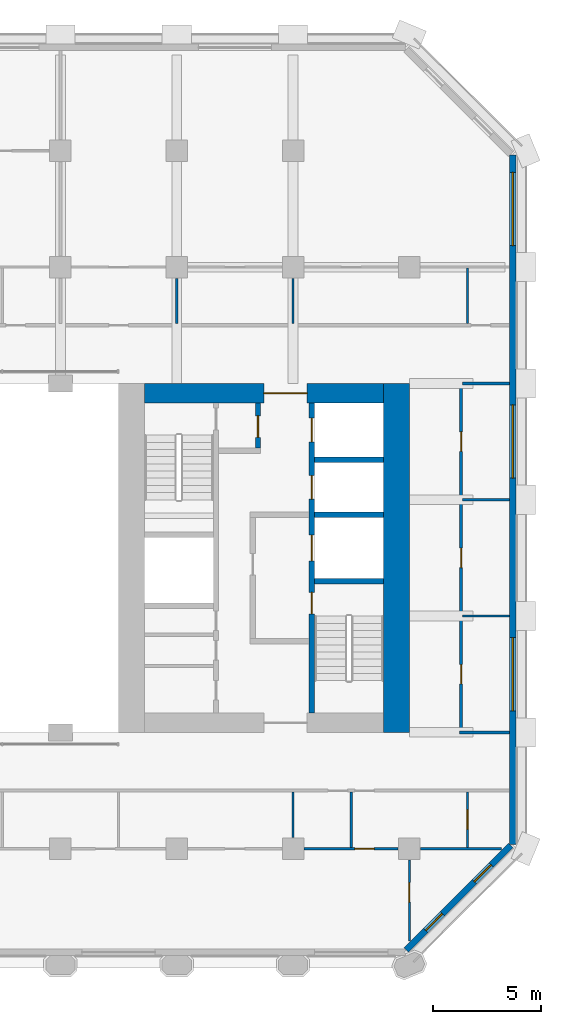
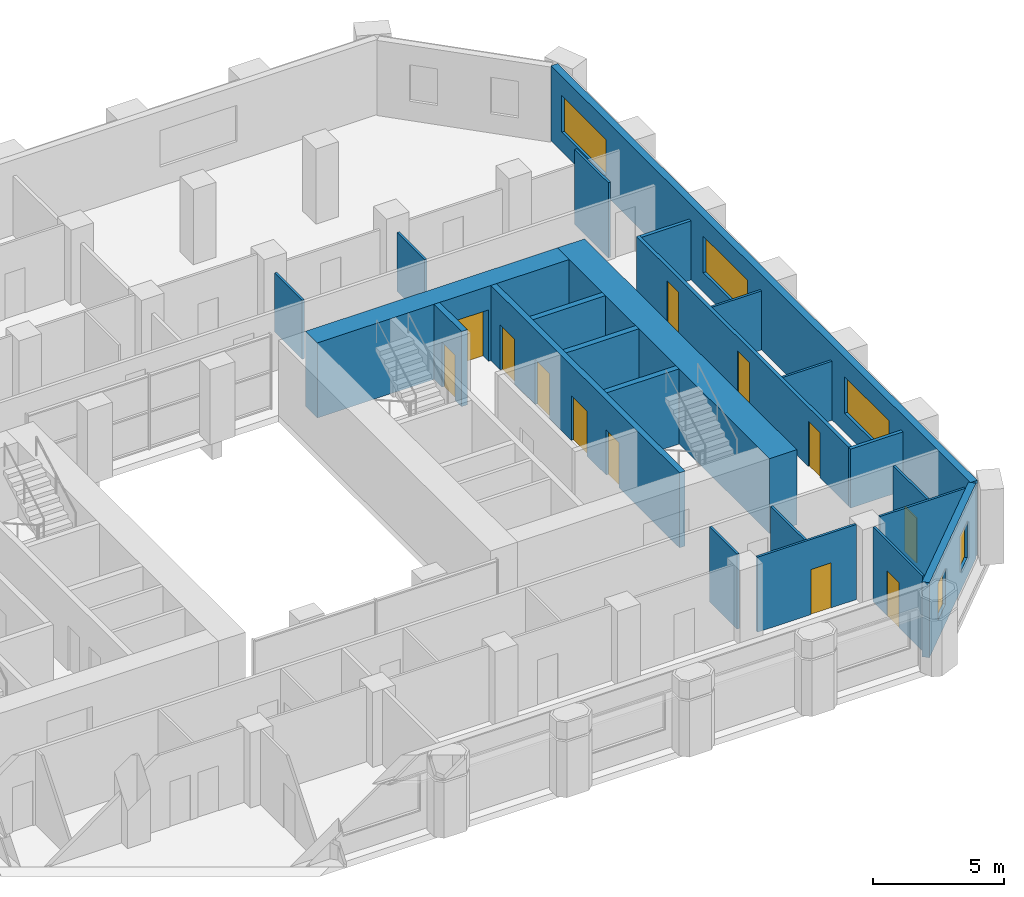
# One storey, part 6 of 11: 23 walls, 12 doors, 5 windows, 17 openings.
"""IFC4 building model written with IfcOpenShell, lengths in metres."""

from ifc_helpers import new_model, si_unit, direction, frame, frame_2d, origin, place, context, subcontext, project, spatial, rectangle, extrude, material, layer, layer_set, type_object, element, fill, save


model = new_model("IFC4")

# Units and contexts
model_context = context("Model", 3, precision=1e-05, world=origin(), true_north=direction((0.0, 1.0)))
body_context = subcontext(model_context, "Body", "Model", "MODEL_VIEW")
ifc_project = project(units=[si_unit("LENGTHUNIT", "METRE"), si_unit("AREAUNIT", "SQUARE_METRE"), si_unit("VOLUMEUNIT", "CUBIC_METRE"), si_unit("PLANEANGLEUNIT", "RADIAN"), si_unit("MASSUNIT", "GRAM", prefix="KILO")], contexts=[model_context])

# Site, building, storey
site_placement = place(None, origin())
site = spatial("IfcSite", under=ifc_project, at=site_placement, CompositionType="ELEMENT")
building_placement = place(site_placement, origin())
building = spatial("IfcBuilding", under=site, at=building_placement, Name="Tabaq Tower and Sports Hall", CompositionType="ELEMENT")
storey_placement = place(building_placement, frame((0.0, 0.0, 91.60009765625)))
storey = spatial("IfcBuildingStorey", under=building, at=storey_placement, Name="L21", CompositionType="ELEMENT", Elevation=91.60009765625)

# Wall
ifc_material_1 = material(Name="Concrete C60/75", Category="concrete")
ifc_layer_1 = layer(ifc_material_1, 1.199951171875)
ifc_layer_set_1 = layer_set([ifc_layer_1], Name="Core wall 1200 Concrete C60/75")
wall_type_1 = type_object("IfcWallType", Name="Core wall 1200 Concrete C60/75", PredefinedType="SOLIDWALL", material=ifc_layer_set_1)
wall_1_placement = place(storey_placement, frame((42.60009765625, 32.39990234375, 0.0), z_axis=(0.0, 0.0, 1.0), x_axis=(0.0, -1.0, 0.0)))
element("IfcWall", 1, at=wall_1_placement, inside=storey, type_object=wall_type_1, Name="Core wall E L21", PredefinedType="SOLIDWALL", context=body_context, shape_type="SweptSolid", body=[
    extrude(rectangle(XDim=16.199951171875, YDim=1.199951171875, at=frame_2d((8.10009765625, 0.0))), origin(), (0.0, 0.0, 1.0), 3.5),
])

# Wall, opening, door
ifc_material_2 = material(Name="Concrete C60/75", Category="concrete")
ifc_layer_2 = layer(ifc_material_2, 0.89990234375)
ifc_layer_set_2 = layer_set([ifc_layer_2], Name="Core wall 900 Concrete C60/75")
wall_type_2 = type_object("IfcWallType", Name="Core wall 900 Concrete C60/75", PredefinedType="SOLIDWALL", material=ifc_layer_set_2)
wall_2_placement = place(storey_placement, frame((30.89990234375, 31.949951171875, 0.0), z_axis=(0.0, 0.0, 1.0), x_axis=(1.0, 0.0, 0.0)))
wall_2 = element("IfcWall", 2, at=wall_2_placement, inside=storey, type_object=wall_type_2, Name="Core wall E L21", PredefinedType="SOLIDWALL", context=body_context, shape_type="SweptSolid", body=[
    extrude(rectangle(XDim=11.10009765625, YDim=0.89990234375, at=frame_2d((5.550048828125, 0.0))), origin(), (0.0, 0.0, 1.0), 3.5),
])
opening_1_placement = place(wall_2_placement, frame((5.550048828125, 0.0, 0.0)))
opening_1 = element("IfcOpeningElement", 3, at=opening_1_placement, cuts=wall_2, Name="Opening PD-EL21-02", PredefinedType="OPENING", context=body_context, shape_type="SweptSolid", body=[
    extrude(rectangle(XDim=2.0, YDim=2.39990234375, at=frame_2d((1.0, 1.199951171875))), frame((0.0, 0.449951171875, 0.0), z_axis=(0.0, -1.0, 0.0), x_axis=(1.0, 0.0, 0.0)), (0.0, 0.0, 1.0), 0.89990234375),
])
ifc_material_3 = material(Name="Steel fire door", Category="steel")
door_type_1 = type_object("IfcDoorType", Name="Core entrance door 2000", OperationType="DOUBLE_DOOR_SINGLE_SWING", PredefinedType="DOOR", material=ifc_material_3)
door_1_placement = place(opening_1_placement, origin())
door_1 = element("IfcDoor", 4, at=door_1_placement, inside=storey, type_object=door_type_1, Name="Core entrance north E L21", OperationType="DOUBLE_DOOR_SINGLE_SWING", OverallHeight=2.39990234375, OverallWidth=2.0, PredefinedType="DOOR", context=body_context, shape_type="SweptSolid", body=[
    extrude(rectangle(XDim=2.0, YDim=2.39990234375, at=frame_2d((1.0, 1.199951171875))), frame((0.0, 0.02490234375, 0.0), z_axis=(0.0, -1.0, 0.0), x_axis=(1.0, 0.0, 0.0)), (0.0, 0.0, 1.0), 0.050048828125),
])
fill(opening_1, door_1)

# Walls
ifc_material_4 = material(Name="Gypsum board on steel studs", Category="steel")
ifc_layer_3 = layer(ifc_material_4, 0.10009765625)
ifc_layer_set_3 = layer_set([ifc_layer_3], Name="Partition 100 Gypsum board")
wall_type_3 = type_object("IfcWallType", Name="Partition 100 Gypsum board", PredefinedType="PARTITIONING", material=ifc_layer_set_3)
for number, where, z_axis, x_axis, name in (
    (5, (32.39990234375, 35.175048828125, 0.0), (0.0, 0.0, 1.0), (0.0, 1.0, 0.0), "Partition wall L21"),
    (6, (37.800048828125, 35.175048828125, 0.0), (0.0, 0.0, 1.0), (0.0, 1.0, 0.0), "Partition wall L21"),
):
    element("IfcWall", number, at=place(storey_placement, frame(where, z_axis=z_axis, x_axis=x_axis)), inside=storey, type_object=wall_type_3, Name=name, PredefinedType="PARTITIONING", context=body_context, shape_type="SweptSolid", body=[
        extrude(rectangle(XDim=2.10498046875, YDim=0.10009765625, at=frame_2d((1.052490234375, 0.0))), origin(), (0.0, 0.0, 1.0), 2.75),
    ])
wall_3_placement = place(storey_placement, frame((45.89990234375, 35.175048828125, 0.0), z_axis=(0.0, 0.0, 1.0), x_axis=(0.0, 1.0, 0.0)))
element("IfcWall", 7, at=wall_3_placement, inside=storey, type_object=wall_type_3, Name="Partition wall L21", PredefinedType="PARTITIONING", context=body_context, shape_type="SweptSolid", body=[
    extrude(rectangle(XDim=2.574951171875, YDim=0.10009765625, at=frame_2d((1.28759765625, 0.0))), origin(), (0.0, 0.0, 1.0), 3.5),
])
wall_4_placement = place(storey_placement, frame((37.800048828125, 11.320068359375, 0.0), z_axis=(0.0, 0.0, 1.0), x_axis=(0.0, 1.0, 0.0)))
element("IfcWall", 8, at=wall_4_placement, inside=storey, type_object=wall_type_3, Name="Partition wall L21", PredefinedType="PARTITIONING", context=body_context, shape_type="SweptSolid", body=[
    extrude(rectangle(XDim=2.10498046875, YDim=0.10009765625, at=frame_2d((1.052490234375, 0.0))), origin(), (0.0, 0.0, 1.0), 3.5),
])
wall_5_placement = place(storey_placement, frame((40.5, 10.85009765625, 0.0), z_axis=(0.0, 0.0, 1.0), x_axis=(0.0, 1.0, 0.0)))
element("IfcWall", 9, at=wall_5_placement, inside=storey, type_object=wall_type_3, Name="Partition wall L21", PredefinedType="PARTITIONING", context=body_context, shape_type="SweptSolid", body=[
    extrude(rectangle(XDim=2.574951171875, YDim=0.10009765625, at=frame_2d((1.28759765625, 0.0))), origin(), (0.0, 0.0, 1.0), 3.5),
])

# Wall, opening, door
wall_6_placement = place(storey_placement, frame((38.320068359375, 10.800048828125, 0.0), z_axis=(0.0, 0.0, 1.0), x_axis=(1.0, 0.0, 0.0)))
wall_6 = element("IfcWall", 10, at=wall_6_placement, inside=storey, type_object=wall_type_3, Name="Partition wall L21", PredefinedType="PARTITIONING", context=body_context, shape_type="SweptSolid", body=[
    extrude(rectangle(XDim=4.35986328125, YDim=0.10009765625, at=frame_2d((2.179931640625, 0.0))), origin(), (0.0, 0.0, 1.0), 3.5),
])
opening_2_placement = place(wall_6_placement, frame((2.35009765625, 0.0, 0.0)))
opening_2 = element("IfcOpeningElement", 11, at=opening_2_placement, cuts=wall_6, Name="Opening L21-031", PredefinedType="OPENING", context=body_context, shape_type="SweptSolid", body=[
    extrude(rectangle(XDim=0.89990234375, YDim=2.10009765625, at=frame_2d((0.449951171875, 1.050048828125))), frame((0.0, 0.050048828125, 0.0), z_axis=(0.0, -1.0, 0.0), x_axis=(1.0, 0.0, 0.0)), (0.0, 0.0, 1.0), 0.10009765625),
])
ifc_material_5 = material(Name="Timber leaf in steel frame", Category="steel")
door_type_2 = type_object("IfcDoorType", Name="Internal door 900 left hand", OperationType="SINGLE_SWING_LEFT", PredefinedType="DOOR", material=ifc_material_5)
door_2_placement = place(opening_2_placement, origin())
door_2 = element("IfcDoor", 12, at=door_2_placement, inside=storey, type_object=door_type_2, Name="Internal door L21-031", OperationType="SINGLE_SWING_LEFT", OverallHeight=2.10009765625, OverallWidth=0.89990234375, PredefinedType="DOOR", context=body_context, shape_type="SweptSolid", body=[
    extrude(rectangle(XDim=0.89990234375, YDim=2.10009765625, at=frame_2d((0.449951171875, 1.050048828125))), frame((0.0, 0.02490234375, 0.0), z_axis=(0.0, -1.0, 0.0), x_axis=(1.0, 0.0, 0.0)), (0.0, 0.0, 1.0), 0.050048828125),
])
fill(opening_2, door_2)

wall_7_placement = place(storey_placement, frame((45.89990234375, 10.85009765625, 0.0), z_axis=(0.0, 0.0, 1.0), x_axis=(0.0, 1.0, 0.0)))
wall_7 = element("IfcWall", 13, at=wall_7_placement, inside=storey, type_object=wall_type_3, Name="Partition wall L21", PredefinedType="PARTITIONING", context=body_context, shape_type="SweptSolid", body=[
    extrude(rectangle(XDim=2.574951171875, YDim=0.10009765625, at=frame_2d((1.28759765625, 0.0))), origin(), (0.0, 0.0, 1.0), 3.5),
])
opening_3_placement = place(wall_7_placement, frame((0.85009765625, 0.0, 0.0)))
opening_3 = element("IfcOpeningElement", 14, at=opening_3_placement, cuts=wall_7, Name="Opening L21-022", PredefinedType="OPENING", context=body_context, shape_type="SweptSolid", body=[
    extrude(rectangle(XDim=0.89990234375, YDim=2.10009765625, at=frame_2d((0.449951171875, 1.050048828125))), frame((0.0, 0.050048828125, 0.0), z_axis=(0.0, -1.0, 0.0), x_axis=(1.0, 0.0, 0.0)), (0.0, 0.0, 1.0), 0.10009765625),
])
door_3_placement = place(opening_3_placement, origin())
door_3 = element("IfcDoor", 15, at=door_3_placement, inside=storey, type_object=door_type_2, Name="Internal door L21-022", OperationType="SINGLE_SWING_LEFT", OverallHeight=2.10009765625, OverallWidth=0.89990234375, PredefinedType="DOOR", context=body_context, shape_type="SweptSolid", body=[
    extrude(rectangle(XDim=0.89990234375, YDim=2.10009765625, at=frame_2d((0.449951171875, 1.050048828125))), frame((0.0, 0.02490234375, 0.0), z_axis=(0.0, -1.0, 0.0), x_axis=(1.0, 0.0, 0.0)), (0.0, 0.0, 1.0), 0.050048828125),
])
fill(opening_3, door_3)

# Wall
wall_8_placement = place(storey_placement, frame((43.719970703125, 10.800048828125, 0.0), z_axis=(0.0, 0.0, 1.0), x_axis=(1.0, 0.0, 0.0)))
element("IfcWall", 16, at=wall_8_placement, inside=storey, type_object=wall_type_3, Name="Partition wall L21", PredefinedType="PARTITIONING", context=body_context, shape_type="SweptSolid", body=[
    extrude(rectangle(XDim=3.767822265625, YDim=0.10009765625, at=frame_2d((1.8837890625, 0.0))), origin(), (0.0, 0.0, 1.0), 3.5),
])

# Wall, opening, door
wall_9_placement = place(storey_placement, frame((43.199951171875, 6.51220703125, 0.0), z_axis=(0.0, 0.0, 1.0), x_axis=(0.0, 1.0, 0.0)))
wall_9 = element("IfcWall", 17, at=wall_9_placement, inside=storey, type_object=wall_type_3, Name="Partition wall L21", PredefinedType="PARTITIONING", context=body_context, shape_type="SweptSolid", body=[
    extrude(rectangle(XDim=3.767822265625, YDim=0.10009765625, at=frame_2d((1.8837890625, 0.0))), origin(), (0.0, 0.0, 1.0), 3.5),
])
opening_4_placement = place(wall_9_placement, frame((1.81298828125, 0.0, 0.0)))
opening_4 = element("IfcOpeningElement", 18, at=opening_4_placement, cuts=wall_9, Name="Opening L21-023", PredefinedType="OPENING", context=body_context, shape_type="SweptSolid", body=[
    extrude(rectangle(XDim=0.89990234375, YDim=2.10009765625, at=frame_2d((0.449951171875, 1.050048828125))), frame((0.0, 0.050048828125, 0.0), z_axis=(0.0, -1.0, 0.0), x_axis=(1.0, 0.0, 0.0)), (0.0, 0.0, 1.0), 0.10009765625),
])
ifc_material_6 = material(Name="Timber leaf in steel frame", Category="steel")
door_type_3 = type_object("IfcDoorType", Name="Internal door 900 right hand", OperationType="SINGLE_SWING_RIGHT", PredefinedType="DOOR", material=ifc_material_6)
door_4_placement = place(opening_4_placement, origin())
door_4 = element("IfcDoor", 19, at=door_4_placement, inside=storey, type_object=door_type_3, Name="Internal door L21-023", OperationType="SINGLE_SWING_RIGHT", OverallHeight=2.10009765625, OverallWidth=0.89990234375, PredefinedType="DOOR", context=body_context, shape_type="SweptSolid", body=[
    extrude(rectangle(XDim=0.89990234375, YDim=2.10009765625, at=frame_2d((0.449951171875, 1.050048828125))), frame((0.0, 0.02490234375, 0.0), z_axis=(0.0, -1.0, 0.0), x_axis=(1.0, 0.0, 0.0)), (0.0, 0.0, 1.0), 0.050048828125),
])
fill(opening_4, door_4)

# Walls
for number, where, z_axis, x_axis, name in (
    (20, (47.84912109375, 21.60009765625, 0.0), (0.0, 0.0, 1.0), (-1.0, 0.0, 0.0), "Partition wall L21"),
    (21, (47.84912109375, 27.0, 0.0), (0.0, 0.0, 1.0), (-1.0, 0.0, 0.0), "Partition wall L21"),
):
    element("IfcWall", number, at=place(storey_placement, frame(where, z_axis=z_axis, x_axis=x_axis)), inside=storey, type_object=wall_type_3, Name=name, PredefinedType="PARTITIONING", context=body_context, shape_type="SweptSolid", body=[
        extrude(rectangle(XDim=2.174072265625, YDim=0.10009765625, at=frame_2d((1.0869140625, 0.0))), origin(), (0.0, 0.0, 1.0), 2.75),
    ])
ifc_material_7 = material(Name="Blockwork", Category="masonry")
ifc_layer_4 = layer(ifc_material_7, 0.14990234375)
ifc_layer_set_4 = layer_set([ifc_layer_4], Name="Separating wall 150 Blockwork")
wall_type_4 = type_object("IfcWallType", Name="Separating wall 150 Blockwork", PredefinedType="PARTITIONING", material=ifc_layer_set_4)
wall_10_placement = place(storey_placement, frame((47.84912109375, 16.199951171875, 0.0), z_axis=(0.0, 0.0, 1.0), x_axis=(-1.0, 0.0, 0.0)))
element("IfcWall", 22, at=wall_10_placement, inside=storey, type_object=wall_type_4, Name="Separating wall L21", PredefinedType="PARTITIONING", context=body_context, shape_type="SweptSolid", body=[
    extrude(rectangle(XDim=2.32421875, YDim=0.14990234375, at=frame_2d((1.162109375, 0.0))), origin(), (0.0, 0.0, 1.0), 2.75),
])

# Wall, openings, doors
wall_11_placement = place(storey_placement, frame((45.60009765625, 16.27490234375, 0.0), z_axis=(0.0, 0.0, 1.0), x_axis=(0.0, 1.0, 0.0)))
wall_11 = element("IfcWall", 23, at=wall_11_placement, inside=storey, type_object=wall_type_4, Name="Separating wall L21", PredefinedType="PARTITIONING", context=body_context, shape_type="SweptSolid", body=[
    extrude(rectangle(XDim=16.2001953125, YDim=0.14990234375, at=frame_2d((8.10009765625, 0.0))), origin(), (0.0, 0.0, 1.0), 2.75),
])
opening_5_placement = place(wall_11_placement, frame((2.175048828125, 0.0, 0.0)))
opening_5 = element("IfcOpeningElement", 24, at=opening_5_placement, cuts=wall_11, Name="Opening L21-006", PredefinedType="OPENING", context=body_context, shape_type="SweptSolid", body=[
    extrude(rectangle(XDim=0.89990234375, YDim=2.10009765625, at=frame_2d((0.449951171875, 1.050048828125))), frame((0.0, 0.074951171875, 0.0), z_axis=(0.0, -1.0, 0.0), x_axis=(1.0, 0.0, 0.0)), (0.0, 0.0, 1.0), 0.14990234375),
])
opening_6_placement = place(wall_11_placement, frame((7.574951171875, 0.0, 0.0)))
opening_6 = element("IfcOpeningElement", 25, at=opening_6_placement, cuts=wall_11, Name="Opening L21-007", PredefinedType="OPENING", context=body_context, shape_type="SweptSolid", body=[
    extrude(rectangle(XDim=0.89990234375, YDim=2.10009765625, at=frame_2d((0.449951171875, 1.050048828125))), frame((0.0, 0.074951171875, 0.0), z_axis=(0.0, -1.0, 0.0), x_axis=(1.0, 0.0, 0.0)), (0.0, 0.0, 1.0), 0.14990234375),
])
opening_7_placement = place(wall_11_placement, frame((12.97509765625, 0.0, 0.0)))
opening_7 = element("IfcOpeningElement", 26, at=opening_7_placement, cuts=wall_11, Name="Opening L21-008", PredefinedType="OPENING", context=body_context, shape_type="SweptSolid", body=[
    extrude(rectangle(XDim=0.89990234375, YDim=2.10009765625, at=frame_2d((0.449951171875, 1.050048828125))), frame((0.0, 0.074951171875, 0.0), z_axis=(0.0, -1.0, 0.0), x_axis=(1.0, 0.0, 0.0)), (0.0, 0.0, 1.0), 0.14990234375),
])
door_5_placement = place(opening_5_placement, origin())
door_5 = element("IfcDoor", 27, at=door_5_placement, inside=storey, type_object=door_type_3, Name="Internal door L21-006", OperationType="SINGLE_SWING_RIGHT", OverallHeight=2.10009765625, OverallWidth=0.89990234375, PredefinedType="DOOR", context=body_context, shape_type="SweptSolid", body=[
    extrude(rectangle(XDim=0.89990234375, YDim=2.10009765625, at=frame_2d((0.449951171875, 1.050048828125))), frame((0.0, 0.02490234375, 0.0), z_axis=(0.0, -1.0, 0.0), x_axis=(1.0, 0.0, 0.0)), (0.0, 0.0, 1.0), 0.050048828125),
])
fill(opening_5, door_5)
door_6_placement = place(opening_6_placement, origin())
door_6 = element("IfcDoor", 28, at=door_6_placement, inside=storey, type_object=door_type_3, Name="Internal door L21-007", OperationType="SINGLE_SWING_RIGHT", OverallHeight=2.10009765625, OverallWidth=0.89990234375, PredefinedType="DOOR", context=body_context, shape_type="SweptSolid", body=[
    extrude(rectangle(XDim=0.89990234375, YDim=2.10009765625, at=frame_2d((0.449951171875, 1.050048828125))), frame((0.0, 0.02490234375, 0.0), z_axis=(0.0, -1.0, 0.0), x_axis=(1.0, 0.0, 0.0)), (0.0, 0.0, 1.0), 0.050048828125),
])
fill(opening_6, door_6)
door_7_placement = place(opening_7_placement, origin())
door_7 = element("IfcDoor", 29, at=door_7_placement, inside=storey, type_object=door_type_3, Name="Internal door L21-008", OperationType="SINGLE_SWING_RIGHT", OverallHeight=2.10009765625, OverallWidth=0.89990234375, PredefinedType="DOOR", context=body_context, shape_type="SweptSolid", body=[
    extrude(rectangle(XDim=0.89990234375, YDim=2.10009765625, at=frame_2d((0.449951171875, 1.050048828125))), frame((0.0, 0.02490234375, 0.0), z_axis=(0.0, -1.0, 0.0), x_axis=(1.0, 0.0, 0.0)), (0.0, 0.0, 1.0), 0.050048828125),
])
fill(opening_7, door_7)

# Wall
wall_12_placement = place(storey_placement, frame((45.675048828125, 32.39990234375, 0.0), z_axis=(0.0, 0.0, 1.0), x_axis=(1.0, 0.0, 0.0)))
element("IfcWall", 30, at=wall_12_placement, inside=storey, type_object=wall_type_4, Name="Separating wall L21", PredefinedType="PARTITIONING", context=body_context, shape_type="SweptSolid", body=[
    extrude(rectangle(XDim=2.174072265625, YDim=0.14990234375, at=frame_2d((1.0869140625, 0.0))), origin(), (0.0, 0.0, 1.0), 2.75),
])

# Wall, openings, doors
ifc_material_8 = material(Name="Concrete C40/50", Category="concrete")
ifc_layer_5 = layer(ifc_material_8, 0.25)
ifc_layer_set_5 = layer_set([ifc_layer_5], Name="Shaft and stair wall 250 Concrete C40/50")
wall_type_5 = type_object("IfcWallType", Name="Shaft and stair wall 250 Concrete C40/50", PredefinedType="SOLIDWALL", material=ifc_layer_set_5)
wall_13_placement = place(storey_placement, frame((38.675048828125, 17.10009765625, 0.0), z_axis=(0.0, 0.0, 1.0), x_axis=(0.0, 1.0, 0.0)))
wall_13 = element("IfcWall", 31, at=wall_13_placement, inside=storey, type_object=wall_type_5, Name="Shaft wall E L21", PredefinedType="SOLIDWALL", context=body_context, shape_type="SweptSolid", body=[
    extrude(rectangle(XDim=14.39990234375, YDim=0.25, at=frame_2d((7.199951171875, 0.0))), origin(), (0.0, 0.0, 1.0), 3.5),
])
opening_8_placement = place(wall_13_placement, frame((4.60009765625, 0.0, 0.0)))
opening_8 = element("IfcOpeningElement", 32, at=opening_8_placement, cuts=wall_13, Name="Opening SD-EL21-03", PredefinedType="OPENING", context=body_context, shape_type="SweptSolid", body=[
    extrude(rectangle(XDim=1.0, YDim=2.10009765625, at=frame_2d((0.5, 1.050048828125))), frame((0.0, 0.125, 0.0), z_axis=(0.0, -1.0, 0.0), x_axis=(1.0, 0.0, 0.0)), (0.0, 0.0, 1.0), 0.25),
])
opening_9_placement = place(wall_13_placement, frame((7.0625, 0.0, 0.0)))
opening_9 = element("IfcOpeningElement", 33, at=opening_9_placement, cuts=wall_13, Name="Opening LD-FF2-L21", PredefinedType="OPENING", context=body_context, shape_type="SweptSolid", body=[
    extrude(rectangle(XDim=1.199951171875, YDim=2.10009765625, at=frame_2d((0.60009765625, 1.050048828125))), frame((0.0, 0.125, 0.0), z_axis=(0.0, -1.0, 0.0), x_axis=(1.0, 0.0, 0.0)), (0.0, 0.0, 1.0), 0.25),
])
opening_10_placement = place(wall_13_placement, frame((9.925048828125, 0.0, 0.0)))
opening_10 = element("IfcOpeningElement", 34, at=opening_10_placement, cuts=wall_13, Name="Opening LD-LR3-L21", PredefinedType="OPENING", context=body_context, shape_type="SweptSolid", body=[
    extrude(rectangle(XDim=1.10009765625, YDim=2.10009765625, at=frame_2d((0.550048828125, 1.050048828125))), frame((0.0, 0.125, 0.0), z_axis=(0.0, -1.0, 0.0), x_axis=(1.0, 0.0, 0.0)), (0.0, 0.0, 1.0), 0.25),
])
opening_11_placement = place(wall_13_placement, frame((12.58740234375, 0.0, 0.0)))
opening_11 = element("IfcOpeningElement", 35, at=opening_11_placement, cuts=wall_13, Name="Opening LD-LR4-L21", PredefinedType="OPENING", context=body_context, shape_type="SweptSolid", body=[
    extrude(rectangle(XDim=1.10009765625, YDim=2.10009765625, at=frame_2d((0.550048828125, 1.050048828125))), frame((0.0, 0.125, 0.0), z_axis=(0.0, -1.0, 0.0), x_axis=(1.0, 0.0, 0.0)), (0.0, 0.0, 1.0), 0.25),
])
ifc_material_9 = material(Name="Stainless steel", Category="steel")
door_type_4 = type_object("IfcDoorType", Name="Lift landing door 1100", OperationType="DOUBLE_DOOR_SLIDING", PredefinedType="DOOR", material=ifc_material_9)
door_8_placement = place(opening_10_placement, origin())
door_8 = element("IfcDoor", 36, at=door_8_placement, inside=storey, type_object=door_type_4, Name="Lift landing door LR3 E L21", OperationType="DOUBLE_DOOR_SLIDING", OverallHeight=2.10009765625, OverallWidth=1.10009765625, PredefinedType="DOOR", context=body_context, shape_type="SweptSolid", body=[
    extrude(rectangle(XDim=1.10009765625, YDim=2.10009765625, at=frame_2d((0.550048828125, 1.050048828125))), frame((0.0, 0.02490234375, 0.0), z_axis=(0.0, -1.0, 0.0), x_axis=(1.0, 0.0, 0.0)), (0.0, 0.0, 1.0), 0.050048828125),
])
fill(opening_10, door_8)
door_9_placement = place(opening_11_placement, origin())
door_9 = element("IfcDoor", 37, at=door_9_placement, inside=storey, type_object=door_type_4, Name="Lift landing door LR4 E L21", OperationType="DOUBLE_DOOR_SLIDING", OverallHeight=2.10009765625, OverallWidth=1.10009765625, PredefinedType="DOOR", context=body_context, shape_type="SweptSolid", body=[
    extrude(rectangle(XDim=1.10009765625, YDim=2.10009765625, at=frame_2d((0.550048828125, 1.050048828125))), frame((0.0, 0.02490234375, 0.0), z_axis=(0.0, -1.0, 0.0), x_axis=(1.0, 0.0, 0.0)), (0.0, 0.0, 1.0), 0.050048828125),
])
fill(opening_11, door_9)
ifc_material_10 = material(Name="Stainless steel", Category="steel")
door_type_5 = type_object("IfcDoorType", Name="Lift landing door 1200", OperationType="DOUBLE_DOOR_SLIDING", PredefinedType="DOOR", material=ifc_material_10)
door_10_placement = place(opening_9_placement, origin())
door_10 = element("IfcDoor", 38, at=door_10_placement, inside=storey, type_object=door_type_5, Name="Lift landing door FF2 E L21", OperationType="DOUBLE_DOOR_SLIDING", OverallHeight=2.10009765625, OverallWidth=1.199951171875, PredefinedType="DOOR", context=body_context, shape_type="SweptSolid", body=[
    extrude(rectangle(XDim=1.199951171875, YDim=2.10009765625, at=frame_2d((0.60009765625, 1.050048828125))), frame((0.0, 0.02490234375, 0.0), z_axis=(0.0, -1.0, 0.0), x_axis=(1.0, 0.0, 0.0)), (0.0, 0.0, 1.0), 0.050048828125),
])
fill(opening_9, door_10)
ifc_material_11 = material(Name="Steel fire door", Category="steel")
door_type_6 = type_object("IfcDoorType", Name="Stair door 1000", OperationType="SINGLE_SWING_LEFT", PredefinedType="DOOR", material=ifc_material_11)
door_11_placement = place(opening_8_placement, origin())
door_11 = element("IfcDoor", 39, at=door_11_placement, inside=storey, type_object=door_type_6, Name="Stair door ST3 E L21", OperationType="SINGLE_SWING_LEFT", OverallHeight=2.10009765625, OverallWidth=1.0, PredefinedType="DOOR", context=body_context, shape_type="SweptSolid", body=[
    extrude(rectangle(XDim=1.0, YDim=2.10009765625, at=frame_2d((0.5, 1.050048828125))), frame((0.0, 0.02490234375, 0.0), z_axis=(0.0, -1.0, 0.0), x_axis=(1.0, 0.0, 0.0)), (0.0, 0.0, 1.0), 0.050048828125),
])
fill(opening_8, door_11)

# Walls
for number, where, z_axis, x_axis, name in (
    (40, (38.800048828125, 23.22509765625, 0.0), (0.0, 0.0, 1.0), (1.0, 0.0, 0.0), "Stair enclosure wall E L21"),
    (41, (38.800048828125, 26.300048828125, 0.0), (0.0, 0.0, 1.0), (1.0, 0.0, 0.0), "Shaft wall E L21"),
):
    element("IfcWall", number, at=place(storey_placement, frame(where, z_axis=z_axis, x_axis=x_axis)), inside=storey, type_object=wall_type_5, Name=name, PredefinedType="SOLIDWALL", context=body_context, shape_type="SweptSolid", body=[
        extrude(rectangle(XDim=3.199951171875, YDim=0.25, at=frame_2d((1.60009765625, 0.0))), origin(), (0.0, 0.0, 1.0), 3.5),
    ])

# Wall, opening, door
wall_14_placement = place(storey_placement, frame((36.175048828125, 29.39990234375, 0.0), z_axis=(0.0, 0.0, 1.0), x_axis=(0.0, 1.0, 0.0)))
wall_14 = element("IfcWall", 42, at=wall_14_placement, inside=storey, type_object=wall_type_5, Name="Fire-fighting lobby wall E L21", PredefinedType="SOLIDWALL", context=body_context, shape_type="SweptSolid", body=[
    extrude(rectangle(XDim=2.10009765625, YDim=0.25, at=frame_2d((1.050048828125, 0.0))), origin(), (0.0, 0.0, 1.0), 3.5),
])
opening_12_placement = place(wall_14_placement, frame((0.5, 0.0, 0.0)))
opening_12 = element("IfcOpeningElement", 43, at=opening_12_placement, cuts=wall_14, Name="Opening FD-EL21-06", PredefinedType="OPENING", context=body_context, shape_type="SweptSolid", body=[
    extrude(rectangle(XDim=1.0, YDim=2.10009765625, at=frame_2d((0.5, 1.050048828125))), frame((0.0, 0.125, 0.0), z_axis=(0.0, -1.0, 0.0), x_axis=(1.0, 0.0, 0.0)), (0.0, 0.0, 1.0), 0.25),
])
ifc_material_12 = material(Name="Steel fire door", Category="steel")
door_type_7 = type_object("IfcDoorType", Name="Fire-fighting lobby door 1000", OperationType="SINGLE_SWING_LEFT", PredefinedType="DOOR", material=ifc_material_12)
door_12_placement = place(opening_12_placement, origin())
door_12 = element("IfcDoor", 44, at=door_12_placement, inside=storey, type_object=door_type_7, Name="Stair lobby door E L21", OperationType="SINGLE_SWING_LEFT", OverallHeight=2.10009765625, OverallWidth=1.0, PredefinedType="DOOR", context=body_context, shape_type="SweptSolid", body=[
    extrude(rectangle(XDim=1.0, YDim=2.10009765625, at=frame_2d((0.5, 1.050048828125))), frame((0.0, 0.02490234375, 0.0), z_axis=(0.0, -1.0, 0.0), x_axis=(1.0, 0.0, 0.0)), (0.0, 0.0, 1.0), 0.050048828125),
])
fill(opening_12, door_12)

# Wall
wall_15_placement = place(storey_placement, frame((38.800048828125, 28.85009765625, 0.0), z_axis=(0.0, 0.0, 1.0), x_axis=(1.0, 0.0, 0.0)))
element("IfcWall", 45, at=wall_15_placement, inside=storey, type_object=wall_type_5, Name="Shaft wall E L21", PredefinedType="SOLIDWALL", context=body_context, shape_type="SweptSolid", body=[
    extrude(rectangle(XDim=3.199951171875, YDim=0.25, at=frame_2d((1.60009765625, 0.0))), origin(), (0.0, 0.0, 1.0), 3.5),
])

# Wall, openings, windows
ifc_material_13 = material(Name="White precast concrete C60/75", Category="concrete")
ifc_layer_6 = layer(ifc_material_13, 0.300048828125)
ifc_layer_set_6 = layer_set([ifc_layer_6], Name="White precast concrete C60/75 external wall 300")
wall_type_6 = type_object("IfcWallType", Name="White precast concrete C60/75 external wall 300", PredefinedType="SOLIDWALL", material=ifc_layer_set_6)
wall_16_placement = place(storey_placement, frame((43.050537109375, 6.098876953125, 0.0), z_axis=(0.0, 0.0, 1.0), x_axis=(0.707106781187, 0.707106781187, 0.0)))
wall_16 = element("IfcWall", 46, at=wall_16_placement, inside=storey, type_object=wall_type_6, Name="External Wall L21 SE", PredefinedType="SOLIDWALL", context=body_context, shape_type="SweptSolid", body=[
    extrude(rectangle(XDim=6.85986328125, YDim=0.300048828125, at=frame_2d((3.429931640625, 0.0))), origin(), (0.0, 0.0, 1.0), 3.5),
])
opening_13_placement = place(wall_16_placement, frame((1.27978515625, 0.0, 0.89990234375)))
opening_13 = element("IfcOpeningElement", 47, at=opening_13_placement, cuts=wall_16, Name="Opening W1B", PredefinedType="OPENING", context=body_context, shape_type="SweptSolid", body=[
    extrude(rectangle(XDim=1.10009765625, YDim=1.699951171875, at=frame_2d((0.550048828125, 0.85009765625))), frame((0.0, 0.16015625, 0.0), z_axis=(0.0, -1.0, 0.0), x_axis=(1.0, 0.0, 0.0)), (0.0, 0.0, 1.0), 0.320068359375),
])
opening_14_placement = place(wall_16_placement, frame((4.479736328125, 0.0, 0.89990234375)))
opening_14 = element("IfcOpeningElement", 48, at=opening_14_placement, cuts=wall_16, Name="Opening W1B", PredefinedType="OPENING", context=body_context, shape_type="SweptSolid", body=[
    extrude(rectangle(XDim=1.10009765625, YDim=1.699951171875, at=frame_2d((0.550048828125, 0.85009765625))), frame((0.0, 0.16015625, 0.0), z_axis=(0.0, -1.0, 0.0), x_axis=(1.0, 0.0, 0.0)), (0.0, 0.0, 1.0), 0.320068359375),
])
ifc_material_14 = material(Name="Aluminium framed clear glazing", Category="aluminium")
window_type_1 = type_object("IfcWindowType", Name="Window W1B", PartitioningType="SINGLE_PANEL", PredefinedType="WINDOW", material=ifc_material_14)
window_1_placement = place(opening_13_placement, origin())
window_1 = element("IfcWindow", 49, at=window_1_placement, inside=storey, type_object=window_type_1, Name="Window W1B L21", OverallHeight=1.699951171875, OverallWidth=1.10009765625, PartitioningType="SINGLE_PANEL", PredefinedType="WINDOW", context=body_context, shape_type="SweptSolid", body=[
    extrude(rectangle(XDim=1.10009765625, YDim=1.699951171875, at=frame_2d((0.550048828125, 0.85009765625))), frame((0.0, 0.030029296875, 0.0), z_axis=(0.0, -1.0, 0.0), x_axis=(1.0, 0.0, 0.0)), (0.0, 0.0, 1.0), 0.06005859375),
])
fill(opening_13, window_1)
window_2_placement = place(opening_14_placement, origin())
window_2 = element("IfcWindow", 50, at=window_2_placement, inside=storey, type_object=window_type_1, Name="Window W1B L21", OverallHeight=1.699951171875, OverallWidth=1.10009765625, PartitioningType="SINGLE_PANEL", PredefinedType="WINDOW", context=body_context, shape_type="SweptSolid", body=[
    extrude(rectangle(XDim=1.10009765625, YDim=1.699951171875, at=frame_2d((0.550048828125, 0.85009765625))), frame((0.0, 0.030029296875, 0.0), z_axis=(0.0, -1.0, 0.0), x_axis=(1.0, 0.0, 0.0)), (0.0, 0.0, 1.0), 0.06005859375),
])
fill(opening_14, window_2)

wall_17_placement = place(storey_placement, frame((48.0, 10.986328125, 0.0), z_axis=(0.0, 0.0, 1.0), x_axis=(0.0, 1.0, 0.0)))
wall_17 = element("IfcWall", 51, at=wall_17_placement, inside=storey, type_object=wall_type_6, Name="External Wall L21 E", PredefinedType="SOLIDWALL", context=body_context, shape_type="SweptSolid", body=[
    extrude(rectangle(XDim=32.02734375, YDim=0.300048828125, at=frame_2d((16.013671875, 0.0))), origin(), (0.0, 0.0, 1.0), 3.5),
])
opening_15_placement = place(wall_17_placement, frame((6.213623046875, 0.0, 0.89990234375)))
opening_15 = element("IfcOpeningElement", 52, at=opening_15_placement, cuts=wall_17, Name="Opening W1A", PredefinedType="OPENING", context=body_context, shape_type="SweptSolid", body=[
    extrude(rectangle(XDim=3.39990234375, YDim=1.699951171875, at=frame_2d((1.699951171875, 0.85009765625))), frame((0.0, 0.16015625, 0.0), z_axis=(0.0, -1.0, 0.0), x_axis=(1.0, 0.0, 0.0)), (0.0, 0.0, 1.0), 0.320068359375),
])
opening_16_placement = place(wall_17_placement, frame((17.013671875, 0.0, 0.89990234375)))
opening_16 = element("IfcOpeningElement", 53, at=opening_16_placement, cuts=wall_17, Name="Opening W1A", PredefinedType="OPENING", context=body_context, shape_type="SweptSolid", body=[
    extrude(rectangle(XDim=3.39990234375, YDim=1.699951171875, at=frame_2d((1.699951171875, 0.85009765625))), frame((0.0, 0.16015625, 0.0), z_axis=(0.0, -1.0, 0.0), x_axis=(1.0, 0.0, 0.0)), (0.0, 0.0, 1.0), 0.320068359375),
])
opening_17_placement = place(wall_17_placement, frame((27.813720703125, 0.0, 0.89990234375)))
opening_17 = element("IfcOpeningElement", 54, at=opening_17_placement, cuts=wall_17, Name="Opening W1A", PredefinedType="OPENING", context=body_context, shape_type="SweptSolid", body=[
    extrude(rectangle(XDim=3.39990234375, YDim=1.699951171875, at=frame_2d((1.699951171875, 0.85009765625))), frame((0.0, 0.16015625, 0.0), z_axis=(0.0, -1.0, 0.0), x_axis=(1.0, 0.0, 0.0)), (0.0, 0.0, 1.0), 0.320068359375),
])
ifc_material_15 = material(Name="Aluminium framed clear glazing", Category="aluminium")
window_type_2 = type_object("IfcWindowType", Name="Window W1A", PartitioningType="SINGLE_PANEL", PredefinedType="WINDOW", material=ifc_material_15)
window_3_placement = place(opening_15_placement, origin())
window_3 = element("IfcWindow", 55, at=window_3_placement, inside=storey, type_object=window_type_2, Name="Window W1A L21", OverallHeight=1.699951171875, OverallWidth=3.39990234375, PartitioningType="SINGLE_PANEL", PredefinedType="WINDOW", context=body_context, shape_type="SweptSolid", body=[
    extrude(rectangle(XDim=3.39990234375, YDim=1.699951171875, at=frame_2d((1.699951171875, 0.85009765625))), frame((0.0, 0.030029296875, 0.0), z_axis=(0.0, -1.0, 0.0), x_axis=(1.0, 0.0, 0.0)), (0.0, 0.0, 1.0), 0.06005859375),
])
fill(opening_15, window_3)
window_4_placement = place(opening_16_placement, origin())
window_4 = element("IfcWindow", 56, at=window_4_placement, inside=storey, type_object=window_type_2, Name="Window W1A L21", OverallHeight=1.699951171875, OverallWidth=3.39990234375, PartitioningType="SINGLE_PANEL", PredefinedType="WINDOW", context=body_context, shape_type="SweptSolid", body=[
    extrude(rectangle(XDim=3.39990234375, YDim=1.699951171875, at=frame_2d((1.699951171875, 0.85009765625))), frame((0.0, 0.030029296875, 0.0), z_axis=(0.0, -1.0, 0.0), x_axis=(1.0, 0.0, 0.0)), (0.0, 0.0, 1.0), 0.06005859375),
])
fill(opening_16, window_4)
window_5_placement = place(opening_17_placement, origin())
window_5 = element("IfcWindow", 57, at=window_5_placement, inside=storey, type_object=window_type_2, Name="Window W1A L21", OverallHeight=1.699951171875, OverallWidth=3.39990234375, PartitioningType="SINGLE_PANEL", PredefinedType="WINDOW", context=body_context, shape_type="SweptSolid", body=[
    extrude(rectangle(XDim=3.39990234375, YDim=1.699951171875, at=frame_2d((1.699951171875, 0.85009765625))), frame((0.0, 0.030029296875, 0.0), z_axis=(0.0, -1.0, 0.0), x_axis=(1.0, 0.0, 0.0)), (0.0, 0.0, 1.0), 0.06005859375),
])
fill(opening_17, window_5)

save(model, "model.ifc")
